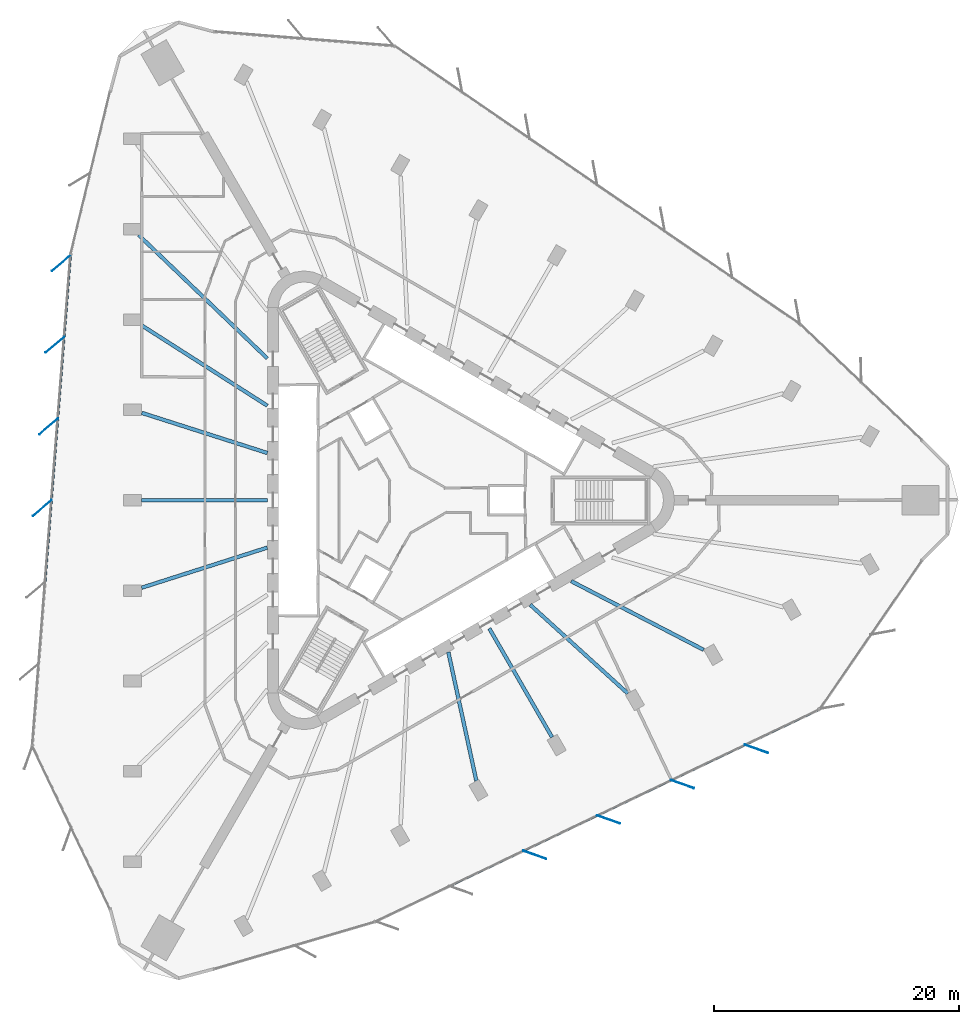
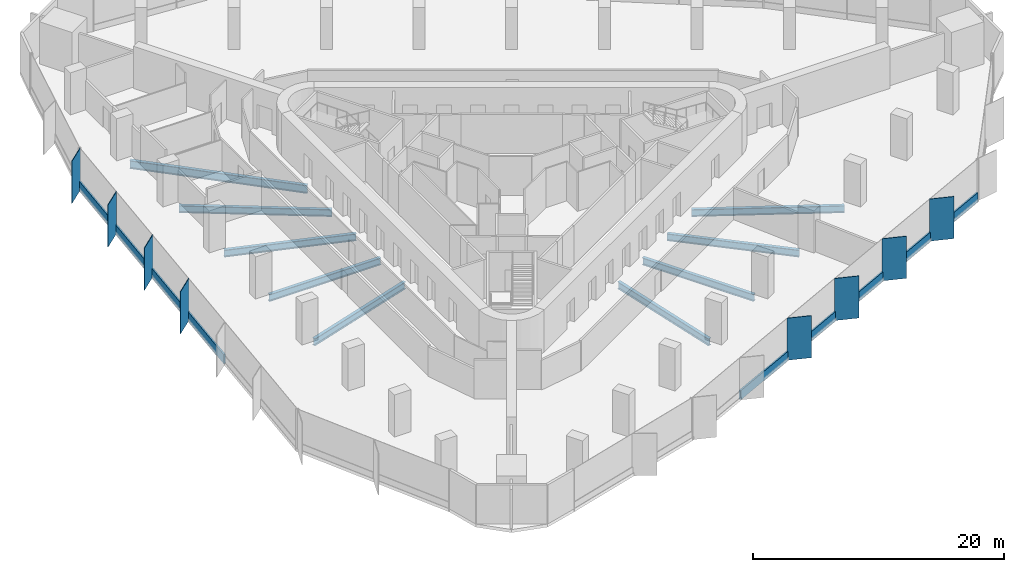
# One storey, part 3 of 14: 17 members, 9 beams, 2 elements without a shape of their own.
"""IFC4 building model written with IfcOpenShell, lengths in metres."""

import ifcopenshell
import ifcopenshell.guid

model = None  # the IFC model being written
_history = None  # IfcOwnerHistory: only IFC2X3 demands one
_inside = {}  # id of a spatial element -> (the spatial element, [elements in it])
_under = {}  # id of a project, library or spatial element -> (it, [spatial elements below it])
_declared = {}  # id of a project -> (the project, [libraries it declares])
_typed = {}  # id of a type object -> (the type object, [elements of that type])
_made_of = {}  # id of a material, layer set ... -> (it, [elements and type objects made of it])


def new_model(schema):
    """Start an empty IFC model of exactly this schema.

    Asked for "IFC4X3", IfcOpenShell would pick the latest addendum, in which some entities
    have other attributes; the version numbers below select the first issue.
    IFC2X3 requires an IfcOwnerHistory on every rooted entity: one is made here for all.
    """
    global model, _history
    if schema == "IFC4X3":
        model = ifcopenshell.file(schema_version=(4, 3, 0, 0))
    else:
        model = ifcopenshell.file(schema=schema)
    _inside.clear()
    _under.clear()
    _declared.clear()
    _typed.clear()
    _made_of.clear()
    _history = None
    if model.schema == "IFC2X3":
        org = make("IfcOrganization", Name="unknown")
        user = make(
            "IfcPersonAndOrganization",
            ThePerson=make("IfcPerson", FamilyName="unknown"),
            TheOrganization=org,
        )
        app = make(
            "IfcApplication",
            ApplicationDeveloper=org,
            Version="unknown",
            ApplicationFullName="unknown",
            ApplicationIdentifier="unknown",
        )
        _history = make(
            "IfcOwnerHistory",
            OwningUser=user,
            OwningApplication=app,
            ChangeAction="ADDED",
            CreationDate=0,
        )
    return model


def make(cls, **values):
    """One entity of the class cls with the attributes given. An attribute that is None is left unset."""
    return model.create_entity(
        cls, **{name: value for name, value in values.items() if value is not None}
    )


def rooted(cls, **values):
    """An entity with a GlobalId (a new one), such as an element, a storey or a relation."""
    return make(cls, GlobalId=ifcopenshell.guid.new(), OwnerHistory=_history, **values)


def si_unit(unit_type, name, prefix=None):
    """IfcSIUnit, for example si_unit("LENGTHUNIT", "METRE", prefix="MILLI")."""
    return make("IfcSIUnit", UnitType=unit_type, Prefix=prefix, Name=name)


def assignment(units):
    """IfcUnitAssignment: the units of a project."""
    return None if units is None else make("IfcUnitAssignment", Units=units)


def point(xyz):
    """IfcCartesianPoint."""
    return None if xyz is None else make("IfcCartesianPoint", Coordinates=xyz)


def direction(xyz):
    """IfcDirection."""
    return None if xyz is None else make("IfcDirection", DirectionRatios=xyz)


def frame(location, z_axis=None, x_axis=None):
    """IfcAxis2Placement3D, a coordinate frame: its origin and axes. An axis left out is left unset."""
    return make(
        "IfcAxis2Placement3D",
        Location=point(location),
        Axis=direction(z_axis),
        RefDirection=direction(x_axis),
    )


def frame_2d(location, x_axis=None):
    """IfcAxis2Placement2D, a coordinate frame in the plane: its origin and x axis."""
    return make(
        "IfcAxis2Placement2D", Location=point(location), RefDirection=direction(x_axis)
    )


def origin():
    """The frame at (0, 0, 0) with its axes left unset."""
    return frame((0.0, 0.0, 0.0))


def origin_2d():
    """The frame at (0, 0) in the plane with its x axis left unset."""
    return frame_2d((0.0, 0.0))


def place(relative_to, where):
    """IfcLocalPlacement: puts the frame where relative to a parent placement (None: the world)."""
    return make(
        "IfcLocalPlacement", PlacementRelTo=relative_to, RelativePlacement=where
    )


def context(
    kind, dimensions, precision=None, world=None, true_north=None, identifier=None
):
    """IfcGeometricRepresentationContext, for example the 3D "Model" context."""
    return make(
        "IfcGeometricRepresentationContext",
        ContextIdentifier=identifier,
        ContextType=kind,
        CoordinateSpaceDimension=dimensions,
        Precision=precision,
        WorldCoordinateSystem=world,
        TrueNorth=true_north,
    )


def subcontext(parent, identifier, kind, view, scale=None):
    """IfcGeometricRepresentationSubContext, for example "Body" below "Model"."""
    return make(
        "IfcGeometricRepresentationSubContext",
        ContextIdentifier=identifier,
        ContextType=kind,
        ParentContext=parent,
        TargetScale=scale,
        TargetView=view,
    )


def project(units=None, contexts=None):
    """IfcProject with its units and contexts."""
    return rooted(
        "IfcProject",
        Name="project",
        RepresentationContexts=contexts,
        UnitsInContext=assignment(units),
    )


def spatial(cls, under=None, at=None, **own):
    """A site, building, storey or space (cls), placed at a placement, below another one or the project."""
    s = rooted(cls, ObjectPlacement=at, **own)
    if under is not None:
        _under.setdefault(under.id(), (under, []))[1].append(s)
    return s


def profile(cls, at=None, kind="AREA", **sizes):
    """A parametric profile (cls). Its sizes go by their IFC names, for example OverallWidth=200.0."""
    return make(cls, ProfileType=kind, Position=at, **sizes)


def rectangle(**sizes):
    """IfcRectangleProfileDef."""
    return profile("IfcRectangleProfileDef", **sizes)


def i_section(**sizes):
    """IfcIShapeProfileDef."""
    return profile("IfcIShapeProfileDef", **sizes)


def extrude(swept, where, along, depth):
    """IfcExtrudedAreaSolid: the profile swept, set in the frame where, extruded along a direction by depth."""
    return make(
        "IfcExtrudedAreaSolid",
        SweptArea=swept,
        Position=where,
        ExtrudedDirection=direction(along),
        Depth=depth,
    )


def shape(context_of_items, identifier, shape_type, items):
    """IfcShapeRepresentation: the items that make up one representation, for example the "Body"."""
    return make(
        "IfcShapeRepresentation",
        ContextOfItems=context_of_items,
        RepresentationIdentifier=identifier,
        RepresentationType=shape_type,
        Items=items,
    )


def material(Name=None, Category=None):
    """IfcMaterial."""
    return make("IfcMaterial", Name=Name, Category=Category)


def material_profile(
    of_material, cross_section, Name=None, Category=None, Priority=None
):
    """IfcMaterialProfile: a cross section and its material."""
    return make(
        "IfcMaterialProfile",
        Name=Name,
        Material=of_material,
        Profile=cross_section,
        Priority=Priority,
        Category=Category,
    )


def profile_set(profiles, Name=None, composite=None):
    """IfcMaterialProfileSet."""
    return make(
        "IfcMaterialProfileSet",
        Name=Name,
        MaterialProfiles=profiles,
        CompositeProfile=composite,
    )


def made_of(thing, what):
    """Note that an element or type object is made of a material, layer set ...; save() writes the relation."""
    if what is not None:
        _made_of.setdefault(what.id(), (what, []))[1].append(thing)
    return thing


def type_object(cls, material=None, **own):
    """A type object (cls), such as IfcWallType, which elements share."""
    return made_of(rooted(cls, **own), material)


def element(
    cls,
    number,
    at=None,
    inside=None,
    cuts=None,
    type_object=None,
    material=None,
    context=None,
    identifier="Body",
    shape_type=None,
    held_by="IfcProductDefinitionShape",
    body=None,
    shapes=None,
    **own,
):
    """One element of the class cls, such as IfcWall. Its Tag is "e" and its number.

    at: its placement. inside: the storey or other place that contains it. cuts: it is an
    opening in that element (IfcRelVoidsElement). A single representation is given by context,
    identifier, shape_type and body (its items); several are given by shapes. held_by: the class
    of the entity that holds the representations. save() writes the other relations.
    """
    e = rooted(cls, Tag="e%d" % number, ObjectPlacement=at, **own)
    if body is not None:
        shapes = [shape(context, identifier, shape_type, body)]
    if shapes is not None:
        e.Representation = make(held_by, Representations=shapes)
    if inside is not None:
        _inside.setdefault(inside.id(), (inside, []))[1].append(e)
    if cuts is not None:
        rooted(
            "IfcRelVoidsElement", RelatingBuildingElement=cuts, RelatedOpeningElement=e
        )
    if type_object is not None:
        _typed.setdefault(type_object.id(), (type_object, []))[1].append(e)
    return made_of(e, material)


def aggregate(whole, parts):
    """IfcRelAggregates: a whole, such as a stair, and the parts it consists of."""
    return rooted("IfcRelAggregates", RelatingObject=whole, RelatedObjects=parts)


def save(model, path):
    """Write the relations noted so far, then the file.

    IfcRelAggregates (storeys below a building ...), IfcRelContainedInSpatialStructure (elements
    in a storey), IfcRelDefinesByType, IfcRelAssociatesMaterial and IfcRelDeclares: one each for
    every whole, place, type object, material and project.
    """
    for whole, parts in _under.values():
        aggregate(whole, parts)
    for where, things in _inside.values():
        rooted(
            "IfcRelContainedInSpatialStructure",
            RelatedElements=things,
            RelatingStructure=where,
        )
    for kind, things in _typed.values():
        rooted("IfcRelDefinesByType", RelatedObjects=things, RelatingType=kind)
    for what, things in _made_of.values():
        rooted("IfcRelAssociatesMaterial", RelatedObjects=things, RelatingMaterial=what)
    for by, libraries in _declared.values():
        rooted("IfcRelDeclares", RelatingContext=by, RelatedDefinitions=libraries)
    model.write(path)


model = new_model("IFC4")

# Units and contexts
model_context = context("Model", 3, precision=1e-05, world=origin(), true_north=direction((0.0, 1.0)))
body_context = subcontext(model_context, "Body", "Model", "MODEL_VIEW")
ifc_project = project(units=[si_unit("LENGTHUNIT", "METRE"), si_unit("AREAUNIT", "SQUARE_METRE"), si_unit("VOLUMEUNIT", "CUBIC_METRE"), si_unit("PLANEANGLEUNIT", "RADIAN"), si_unit("MASSUNIT", "GRAM", prefix="KILO")], contexts=[model_context])

# Site, building, storey
site_placement = place(None, origin())
site = spatial("IfcSite", under=ifc_project, at=site_placement, CompositionType="ELEMENT")
building_placement = place(site_placement, origin())
building = spatial("IfcBuilding", under=site, at=building_placement, Name="Tanit Gate Tower", CompositionType="ELEMENT")
storey_placement = place(building_placement, frame((0.0, 0.0, 90.60009765625)))
storey = spatial("IfcBuildingStorey", under=building, at=storey_placement, Name="L18", CompositionType="ELEMENT", Elevation=90.60009765625)

# Curtain wall, members
ifc_material_1 = material(Name="Aluminium bronze anodised and glass", Category="aluminium")
curtain_wall_type = type_object("IfcCurtainWallType", Name="Curtain wall typical low", PredefinedType="NOTDEFINED", material=ifc_material_1)
curtain_wall_1_placement = place(storey_placement, origin())
curtain_wall_1 = element("IfcCurtainWall", 1, at=curtain_wall_1_placement, inside=storey, type_object=curtain_wall_type, Name="Curtain wall L18 W2", PredefinedType="NOTDEFINED")
ifc_material_2 = material(Name="Aluminium bronze anodised", Category="aluminium")
ifc_material_profile_1 = material_profile(ifc_material_2, rectangle(XDim=2.0, YDim=0.055908203125, at=origin_2d()), Name="56x2000 bronze fin mullion")
ifc_profile_set_1 = profile_set([ifc_material_profile_1], Name="Aluminium bronze anodised")
member_type_1 = type_object("IfcMemberType", Name="FIN MULLION 56x2000 bronze", PredefinedType="MULLION", material=ifc_profile_set_1)
member_1_placement = place(storey_placement, frame((-28.95263671875, 19.40625, -0.300048828125), z_axis=(0.0, 0.0, 1.0), x_axis=(0.75991198916, 0.650025975428, 0.0)))
member_1 = element("IfcMember", 2, at=member_1_placement, type_object=member_type_1, Name="Fin mullion L18 W2.1", PredefinedType="MULLION", context=body_context, shape_type="SweptSolid", body=[
    extrude(rectangle(XDim=2.0, YDim=0.055908203125, at=origin_2d()), origin(), (0.0, 0.0, 1.0), 4.099853515625),
])
member_2_placement = place(storey_placement, frame((-29.47314453125, 12.726318359375, -0.300048828125), z_axis=(0.0, 0.0, 1.0), x_axis=(0.75991198916, 0.650025975428, 0.0)))
member_2 = element("IfcMember", 3, at=member_2_placement, type_object=member_type_1, Name="Fin mullion L18 W2.2", PredefinedType="MULLION", context=body_context, shape_type="SweptSolid", body=[
    extrude(rectangle(XDim=2.0, YDim=0.055908203125, at=origin_2d()), origin(), (0.0, 0.0, 1.0), 4.099853515625),
])
member_3_placement = place(storey_placement, frame((-29.99365234375, 6.04638671875, -0.300048828125), z_axis=(0.0, 0.0, 1.0), x_axis=(0.75991198916, 0.650025975428, 0.0)))
member_3 = element("IfcMember", 4, at=member_3_placement, type_object=member_type_1, Name="Fin mullion L18 W2.3", PredefinedType="MULLION", context=body_context, shape_type="SweptSolid", body=[
    extrude(rectangle(XDim=2.0, YDim=0.055908203125, at=origin_2d()), origin(), (0.0, 0.0, 1.0), 4.099853515625),
])
member_4_placement = place(storey_placement, frame((-30.514404296875, -0.633544921875, -0.300048828125), z_axis=(0.0, 0.0, 1.0), x_axis=(0.75991198916, 0.650025975428, 0.0)))
member_4 = element("IfcMember", 5, at=member_4_placement, type_object=member_type_1, Name="Fin mullion L18 W2.4", PredefinedType="MULLION", context=body_context, shape_type="SweptSolid", body=[
    extrude(rectangle(XDim=2.0, YDim=0.055908203125, at=origin_2d()), origin(), (0.0, 0.0, 1.0), 4.099853515625),
])

curtain_wall_2_placement = place(storey_placement, origin())
curtain_wall_2 = element("IfcCurtainWall", 6, at=curtain_wall_2_placement, inside=storey, type_object=curtain_wall_type, Name="Curtain wall L18 SE2", PredefinedType="NOTDEFINED")
member_5_placement = place(storey_placement, frame((9.760498046875, -28.99853515625, -0.300048828125), z_axis=(0.0, 0.0, 1.0), x_axis=(-0.94289500242, 0.333090099539, 0.0)))
member_5 = element("IfcMember", 7, at=member_5_placement, type_object=member_type_1, Name="Fin mullion L18 SE2.3", PredefinedType="MULLION", context=body_context, shape_type="SweptSolid", body=[
    extrude(rectangle(XDim=2.0, YDim=0.055908203125, at=origin_2d()), origin(), (0.0, 0.0, 1.0), 4.099853515625),
])
member_6_placement = place(storey_placement, frame((15.8056640625, -26.109375, -0.300048828125), z_axis=(0.0, 0.0, 1.0), x_axis=(-0.94289500242, 0.333090099539, 0.0)))
member_6 = element("IfcMember", 8, at=member_6_placement, type_object=member_type_1, Name="Fin mullion L18 SE2.4", PredefinedType="MULLION", context=body_context, shape_type="SweptSolid", body=[
    extrude(rectangle(XDim=2.0, YDim=0.055908203125, at=origin_2d()), origin(), (0.0, 0.0, 1.0), 4.099853515625),
])
member_7_placement = place(storey_placement, frame((21.85107421875, -23.220458984375, -0.300048828125), z_axis=(0.0, 0.0, 1.0), x_axis=(-0.94289500242, 0.333090099539, 0.0)))
member_7 = element("IfcMember", 9, at=member_7_placement, type_object=member_type_1, Name="Fin mullion L18 SE2.5", PredefinedType="MULLION", context=body_context, shape_type="SweptSolid", body=[
    extrude(rectangle(XDim=2.0, YDim=0.055908203125, at=origin_2d()), origin(), (0.0, 0.0, 1.0), 4.099853515625),
])
member_8_placement = place(storey_placement, frame((27.896240234375, -20.331298828125, -0.300048828125), z_axis=(0.0, 0.0, 1.0), x_axis=(-0.94289500242, 0.333090099539, 0.0)))
member_8 = element("IfcMember", 10, at=member_8_placement, type_object=member_type_1, Name="Fin mullion L18 SE2.6", PredefinedType="MULLION", context=body_context, shape_type="SweptSolid", body=[
    extrude(rectangle(XDim=2.0, YDim=0.055908203125, at=origin_2d()), origin(), (0.0, 0.0, 1.0), 4.099853515625),
])

# Beams
ifc_material_3 = material(Name="Steel S355", Category="steel")
ifc_material_profile_2 = material_profile(ifc_material_3, i_section(OverallWidth=0.300048828125, OverallDepth=0.68994140625, WebThickness=0.014404296875, FlangeThickness=0.027099609375, FilletRadius=0.027099609375, at=origin_2d()), Name="HEA 700")
ifc_profile_set_2 = profile_set([ifc_material_profile_2], Name="Steel S355")
beam_type_1 = type_object("IfcBeamType", Name="RADIAL GIRDER HEA 700 S355", PredefinedType="BEAM", material=ifc_profile_set_2)
for number, where, z_axis, x_axis, name in (
    (11, (-22.376708984375, -7.151611328125, -0.64501953125), (0.952537085723, 0.304422568682, 0.0), (-0.304422568682, 0.952537085723, 0.0), "RADIAL GIRDER"),
    (12, (4.994873046875, -22.95458984375, -0.64501953125), (-0.212619451543, 0.977135082179, 0.0), (-0.977135082179, -0.212619451543, 0.0), "RADIAL GIRDER"),
):
    element("IfcBeam", number, at=place(storey_placement, frame(where, z_axis=z_axis, x_axis=x_axis)), inside=storey, type_object=beam_type_1, Name=name, PredefinedType="BEAM", context=body_context, shape_type="SweptSolid", body=[
        extrude(i_section(OverallWidth=0.300048828125, OverallDepth=0.68994140625, WebThickness=0.014404296875, FlangeThickness=0.027099609375, FilletRadius=0.027099609375, at=origin_2d()), origin(), (0.0, 0.0, 1.0), 10.78662109375),
    ])
beam_1_placement = place(storey_placement, frame((11.1884765625, -19.37890625, -0.64501953125), z_axis=(-0.500005608904, 0.866022165458, 0.0), x_axis=(-0.866022165458, -0.500005608904, 0.0)))
element("IfcBeam", 13, at=beam_1_placement, inside=storey, type_object=beam_type_1, Name="RADIAL GIRDER", PredefinedType="BEAM", context=body_context, shape_type="SweptSolid", body=[
    extrude(i_section(OverallWidth=0.300048828125, OverallDepth=0.68994140625, WebThickness=0.014404296875, FlangeThickness=0.027099609375, FilletRadius=0.027099609375, at=origin_2d()), origin(), (0.0, 0.0, 1.0), 10.27490234375),
])
beam_2_placement = place(storey_placement, frame((17.382080078125, -15.802978515625, -0.64501953125), z_axis=(-0.739917542408, 0.67269757725, 0.0), x_axis=(-0.67269757725, -0.739917542408, 0.0)))
element("IfcBeam", 14, at=beam_2_placement, inside=storey, type_object=beam_type_1, Name="RADIAL GIRDER", PredefinedType="BEAM", context=body_context, shape_type="SweptSolid", body=[
    extrude(i_section(OverallWidth=0.300048828125, OverallDepth=0.68994140625, WebThickness=0.014404296875, FlangeThickness=0.027099609375, FilletRadius=0.027099609375, at=origin_2d()), origin(), (0.0, 0.0, 1.0), 10.786865234375),
])
beam_3_placement = place(storey_placement, frame((23.5830078125, -12.23095703125, -0.64501953125), z_axis=(-0.887710923004, 0.460401256709, 0.0), x_axis=(-0.460401256709, -0.887710923004, 0.0)))
element("IfcBeam", 15, at=beam_3_placement, inside=storey, type_object=beam_type_1, Name="RADIAL GIRDER", PredefinedType="BEAM", context=body_context, shape_type="SweptSolid", body=[
    extrude(i_section(OverallWidth=0.300048828125, OverallDepth=0.68994140625, WebThickness=0.014404296875, FlangeThickness=0.027099609375, FilletRadius=0.027099609375, at=origin_2d()), origin(), (0.0, 0.0, 1.0), 12.20263671875),
])
beam_4_placement = place(storey_placement, frame((-22.3837890625, 14.307861328125, -0.64501953125), z_axis=(0.842570670287, -0.538585801494, 0.0), x_axis=(0.538585801494, 0.842570670287, 0.0)))
element("IfcBeam", 16, at=beam_4_placement, inside=storey, type_object=beam_type_1, Name="RADIAL GIRDER", PredefinedType="BEAM", context=body_context, shape_type="SweptSolid", body=[
    extrude(i_section(OverallWidth=0.300048828125, OverallDepth=0.68994140625, WebThickness=0.014404296875, FlangeThickness=0.027099609375, FilletRadius=0.027099609375, at=origin_2d()), origin(), (0.0, 0.0, 1.0), 12.202880859375),
])
beam_5_placement = place(storey_placement, frame((-22.376708984375, 7.151611328125, -0.64501953125), z_axis=(0.952537085723, -0.304422568682, 0.0), x_axis=(0.304422568682, 0.952537085723, 0.0)))
element("IfcBeam", 17, at=beam_5_placement, inside=storey, type_object=beam_type_1, Name="RADIAL GIRDER", PredefinedType="BEAM", context=body_context, shape_type="SweptSolid", body=[
    extrude(i_section(OverallWidth=0.300048828125, OverallDepth=0.68994140625, WebThickness=0.014404296875, FlangeThickness=0.027099609375, FilletRadius=0.027099609375, at=origin_2d()), origin(), (0.0, 0.0, 1.0), 10.78662109375),
])
beam_6_placement = place(storey_placement, frame((-22.376708984375, 0.0, -0.64501953125), z_axis=(1.0, 0.0, 0.0), x_axis=(0.0, 1.0, 0.0)))
element("IfcBeam", 18, at=beam_6_placement, inside=storey, type_object=beam_type_1, Name="RADIAL GIRDER", PredefinedType="BEAM", context=body_context, shape_type="SweptSolid", body=[
    extrude(i_section(OverallWidth=0.300048828125, OverallDepth=0.68994140625, WebThickness=0.014404296875, FlangeThickness=0.027099609375, FilletRadius=0.027099609375, at=origin_2d()), origin(), (0.0, 0.0, 1.0), 10.274658203125),
])
ifc_material_4 = material(Name="Steel S355", Category="steel")
ifc_material_profile_3 = material_profile(ifc_material_4, i_section(OverallWidth=0.300048828125, OverallDepth=0.7900390625, WebThickness=0.014892578125, FlangeThickness=0.028076171875, FilletRadius=0.030029296875, at=origin_2d()), Name="HEA 800")
ifc_profile_set_3 = profile_set([ifc_material_profile_3], Name="Steel S355")
beam_type_2 = type_object("IfcBeamType", Name="RADIAL GIRDER HEA 800 S355", PredefinedType="BEAM", material=ifc_profile_set_3)
beam_7_placement = place(storey_placement, frame((-22.63134765625, 21.69921875, -0.695068359375), z_axis=(0.721812607452, -0.692088549048, 0.0), x_axis=(0.692088549048, 0.721812607452, 0.0)))
element("IfcBeam", 19, at=beam_7_placement, inside=storey, type_object=beam_type_2, Name="RADIAL GIRDER", PredefinedType="BEAM", context=body_context, shape_type="SweptSolid", body=[
    extrude(i_section(OverallWidth=0.300048828125, OverallDepth=0.7900390625, WebThickness=0.014892578125, FlangeThickness=0.028076171875, FilletRadius=0.030029296875, at=origin_2d()), origin(), (0.0, 0.0, 1.0), 14.58740234375),
])

# Member
ifc_material_5 = material(Name="Aluminium bronze anodised", Category="aluminium")
ifc_material_profile_4 = material_profile(ifc_material_5, rectangle(XDim=0.159912109375, YDim=0.89990234375, at=origin_2d()), Name="160x900 bronze transom")
ifc_profile_set_4 = profile_set([ifc_material_profile_4], Name="Aluminium bronze anodised")
member_type_2 = type_object("IfcMemberType", Name="Transom 160x900 typical low", PredefinedType="USERDEFINED", material=ifc_profile_set_4)
member_9_placement = place(storey_placement, frame((-28.212890625, 20.001708984375, 0.14990234375), z_axis=(-0.077703246028, -0.996976532099, 0.0), x_axis=(0.996976532099, -0.077703246028, 0.0)))
member_9 = element("IfcMember", 20, at=member_9_placement, type_object=member_type_2, Name="Transom L18 W2.1", ObjectType="TRANSOM", PredefinedType="USERDEFINED", context=body_context, shape_type="SweptSolid", body=[
    extrude(rectangle(XDim=0.159912109375, YDim=0.89990234375, at=origin_2d()), origin(), (0.0, 0.0, 1.0), 6.6201171875),
])

member_10_placement = place(storey_placement, frame((-28.733642578125, 13.32177734375, 0.14990234375), z_axis=(-0.077703246028, -0.996976532099, 0.0), x_axis=(0.996976532099, -0.077703246028, 0.0)))
member_10 = element("IfcMember", 21, at=member_10_placement, type_object=member_type_2, Name="Transom L18 W2.2", ObjectType="TRANSOM", PredefinedType="USERDEFINED", context=body_context, shape_type="SweptSolid", body=[
    extrude(rectangle(XDim=0.159912109375, YDim=0.89990234375, at=origin_2d()), origin(), (0.0, 0.0, 1.0), 6.6201171875),
])

member_11_placement = place(storey_placement, frame((-29.254150390625, 6.641845703125, 0.14990234375), z_axis=(-0.077703246028, -0.996976532099, 0.0), x_axis=(0.996976532099, -0.077703246028, 0.0)))
member_11 = element("IfcMember", 22, at=member_11_placement, type_object=member_type_2, Name="Transom L18 W2.3", ObjectType="TRANSOM", PredefinedType="USERDEFINED", context=body_context, shape_type="SweptSolid", body=[
    extrude(rectangle(XDim=0.159912109375, YDim=0.89990234375, at=origin_2d()), origin(), (0.0, 0.0, 1.0), 6.6201171875),
])

member_12_placement = place(storey_placement, frame((-29.774658203125, -0.0380859375, 0.14990234375), z_axis=(-0.077703246028, -0.996976532099, 0.0), x_axis=(0.996976532099, -0.077703246028, 0.0)))
member_12 = element("IfcMember", 23, at=member_12_placement, type_object=member_type_2, Name="Transom L18 W2.4", ObjectType="TRANSOM", PredefinedType="USERDEFINED", context=body_context, shape_type="SweptSolid", body=[
    extrude(rectangle(XDim=0.159912109375, YDim=0.89990234375, at=origin_2d()), origin(), (0.0, 0.0, 1.0), 6.6201171875),
])

aggregate(curtain_wall_1, [member_1, member_2, member_3, member_4, member_9, member_10, member_11, member_12])

member_13_placement = place(storey_placement, frame((2.829833984375, -31.544921875, 0.14990234375), z_axis=(0.902250892511, 0.431211464323, 0.0), x_axis=(-0.431211464323, 0.902250892511, 0.0)))
member_13 = element("IfcMember", 24, at=member_13_placement, type_object=member_type_2, Name="Transom L18 SE2.2", ObjectType="TRANSOM", PredefinedType="USERDEFINED", context=body_context, shape_type="SweptSolid", body=[
    extrude(rectangle(XDim=0.159912109375, YDim=0.89990234375, at=origin_2d()), origin(), (0.0, 0.0, 1.0), 6.620361328125),
])

member_14_placement = place(storey_placement, frame((8.875, -28.65576171875, 0.14990234375), z_axis=(0.902265239929, 0.431181443033, 0.0), x_axis=(-0.431181443033, 0.902265239929, 0.0)))
member_14 = element("IfcMember", 25, at=member_14_placement, type_object=member_type_2, Name="Transom L18 SE2.3", ObjectType="TRANSOM", PredefinedType="USERDEFINED", context=body_context, shape_type="SweptSolid", body=[
    extrude(rectangle(XDim=0.159912109375, YDim=0.89990234375, at=origin_2d()), origin(), (0.0, 0.0, 1.0), 6.6201171875),
])

member_15_placement = place(storey_placement, frame((14.920166015625, -25.7666015625, 0.14990234375), z_axis=(0.902265239929, 0.431181443033, 0.0), x_axis=(-0.431181443033, 0.902265239929, 0.0)))
member_15 = element("IfcMember", 26, at=member_15_placement, type_object=member_type_2, Name="Transom L18 SE2.4", ObjectType="TRANSOM", PredefinedType="USERDEFINED", context=body_context, shape_type="SweptSolid", body=[
    extrude(rectangle(XDim=0.159912109375, YDim=0.89990234375, at=origin_2d()), origin(), (0.0, 0.0, 1.0), 6.6201171875),
])

member_16_placement = place(storey_placement, frame((20.965576171875, -22.877685546875, 0.14990234375), z_axis=(0.902250892511, 0.431211464323, 0.0), x_axis=(-0.431211464323, 0.902250892511, 0.0)))
member_16 = element("IfcMember", 27, at=member_16_placement, type_object=member_type_2, Name="Transom L18 SE2.5", ObjectType="TRANSOM", PredefinedType="USERDEFINED", context=body_context, shape_type="SweptSolid", body=[
    extrude(rectangle(XDim=0.159912109375, YDim=0.89990234375, at=origin_2d()), origin(), (0.0, 0.0, 1.0), 6.620361328125),
])

member_17_placement = place(storey_placement, frame((27.0107421875, -19.988525390625, 0.14990234375), z_axis=(0.902265239929, 0.431181443033, 0.0), x_axis=(-0.431181443033, 0.902265239929, 0.0)))
member_17 = element("IfcMember", 28, at=member_17_placement, type_object=member_type_2, Name="Transom L18 SE2.6", ObjectType="TRANSOM", PredefinedType="USERDEFINED", context=body_context, shape_type="SweptSolid", body=[
    extrude(rectangle(XDim=0.159912109375, YDim=0.89990234375, at=origin_2d()), origin(), (0.0, 0.0, 1.0), 6.6201171875),
])

aggregate(curtain_wall_2, [member_5, member_6, member_7, member_8, member_13, member_14, member_15, member_16, member_17])

save(model, "model.ifc")
